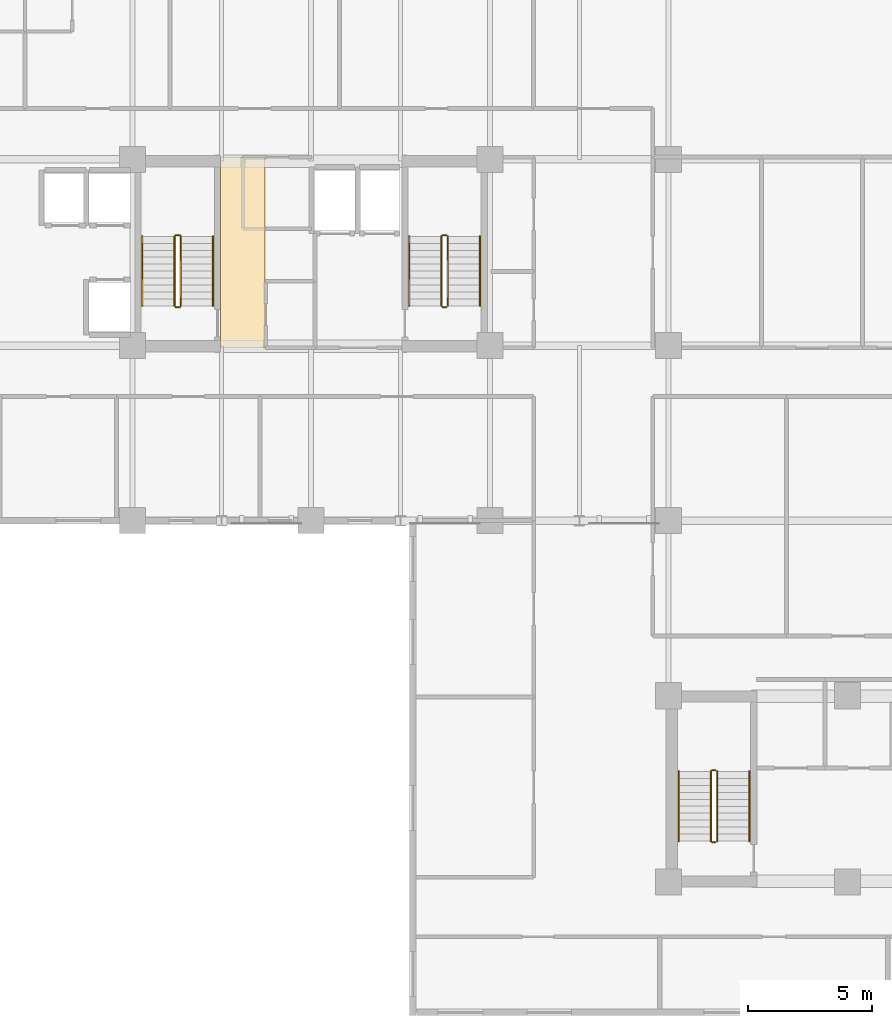
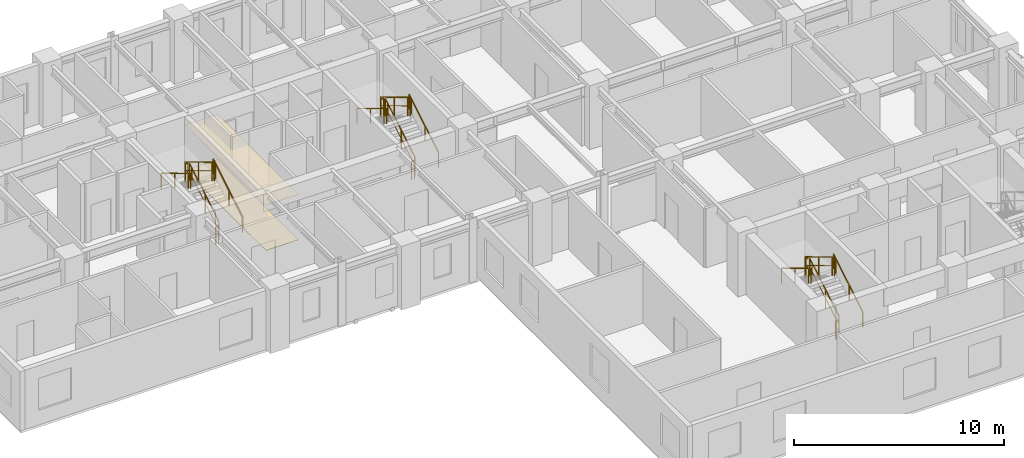
# One storey, part 11 of 13: 18 railings, 2 coverings.
"""IFC4 building model written with IfcOpenShell, lengths in metres."""

from ifc_helpers import new_model, si_unit, direction, frame, origin, origin_2d, place, context, subcontext, project, spatial, rectangle, extrude, source, transform, mapped, material, layer, layer_set, type_object, element, save


model = new_model("IFC4")

# Units and contexts
model_context = context("Model", 3, precision=1e-05, world=origin(), true_north=direction((0.0, 1.0)))
body_context = subcontext(model_context, "Body", "Model", "MODEL_VIEW")
ifc_project = project(units=[si_unit("LENGTHUNIT", "METRE"), si_unit("AREAUNIT", "SQUARE_METRE"), si_unit("VOLUMEUNIT", "CUBIC_METRE"), si_unit("PLANEANGLEUNIT", "RADIAN"), si_unit("MASSUNIT", "GRAM", prefix="KILO")], contexts=[model_context])

# Site, building, storey
site_placement = place(None, origin())
site = spatial("IfcSite", under=ifc_project, at=site_placement, CompositionType="ELEMENT")
building_placement = place(site_placement, origin())
building = spatial("IfcBuilding", under=site, at=building_placement, Name="Kaliganga Portal Commons", CompositionType="ELEMENT")
storey_placement = place(building_placement, frame((0.0, 0.0, 158.699951171875)))
storey = spatial("IfcBuildingStorey", under=building, at=storey_placement, Name="L40", CompositionType="ELEMENT", Elevation=158.699951171875)

# Railings
ifc_material_1 = material(Name="Galvanized Painted Steel Balustrade", Category="steel")
railing_type_1 = type_object("IfcRailingType", Name="RLG-STAIR-GRD", PredefinedType="GUARDRAIL", material=ifc_material_1)
railing_1_placement = place(storey_placement, frame((16.35009765625, 30.25, 0.168212890625)))
element("IfcRailing", 1, at=railing_1_placement, inside=storey, type_object=railing_type_1, Name="L40 ST-A1 stair guard 1", PredefinedType="GUARDRAIL", context=body_context, shape_type="SweptSolid", body=[
    extrude(rectangle(XDim=0.048095703125, YDim=0.048095703125, at=origin_2d()), frame((0.0, 0.0, 1.072021484375), z_axis=(0.0, 0.857242210791, 0.514913383045), x_axis=(-1.0, 0.0, 0.0)), (0.0, 0.0, 1.0), 3.266357421875),
    extrude(rectangle(XDim=0.028076171875, YDim=0.028076171875, at=origin_2d()), frame((0.0, 0.0, 0.572021484375), z_axis=(0.0, 0.857242210791, 0.514913383045), x_axis=(-1.0, 0.0, 0.0)), (0.0, 0.0, 1.0), 3.266357421875),
    extrude(rectangle(XDim=0.0419921875, YDim=0.0419921875, at=origin_2d()), origin(), (0.0, 0.0, 1.0), 1.052001953125),
    extrude(rectangle(XDim=0.0419921875, YDim=0.0419921875, at=origin_2d()), frame((0.0, 1.285888671875, 0.7724609375)), (0.0, 0.0, 1.0), 1.052001953125),
    extrude(rectangle(XDim=0.0419921875, YDim=0.0419921875, at=origin_2d()), frame((0.0, 2.57177734375, 1.544677734375)), (0.0, 0.0, 1.0), 1.052001953125),
    extrude(rectangle(XDim=0.0419921875, YDim=0.0419921875, at=origin_2d()), frame((0.0, 2.800048828125, 1.681884765625)), (0.0, 0.0, 1.0), 1.052001953125),
])
railing_2_placement = place(storey_placement, frame((16.300048828125, 33.10009765625, 1.85009765625)))
element("IfcRailing", 2, at=railing_2_placement, inside=storey, type_object=railing_type_1, Name="L40 ST-A1 stair guard 2", PredefinedType="GUARDRAIL", context=body_context, shape_type="SweptSolid", body=[
    extrude(rectangle(XDim=0.048095703125, YDim=0.048095703125, at=origin_2d()), frame((0.0, 0.0, 1.076171875), z_axis=(-1.0, 0.0, 0.0), x_axis=(0.0, -1.0, 0.0)), (0.0, 0.0, 1.0), 0.150146484375),
    extrude(rectangle(XDim=0.028076171875, YDim=0.028076171875, at=origin_2d()), frame((0.0, 0.0, 0.572021484375), z_axis=(-1.0, 0.0, 0.0), x_axis=(0.0, -1.0, 0.0)), (0.0, 0.0, 1.0), 0.150146484375),
    extrude(rectangle(XDim=0.0419921875, YDim=0.0419921875, at=origin_2d()), origin(), (0.0, 0.0, 1.0), 1.052001953125),
    extrude(rectangle(XDim=0.0419921875, YDim=0.0419921875, at=origin_2d()), frame((-0.150146484375, 0.0, 0.0)), (0.0, 0.0, 1.0), 1.052001953125),
])
railing_3_placement = place(storey_placement, frame((16.10009765625, 33.050048828125, 2.018310546875)))
element("IfcRailing", 3, at=railing_3_placement, inside=storey, type_object=railing_type_1, Name="L40 ST-A1 stair guard 3", PredefinedType="GUARDRAIL", context=body_context, shape_type="SweptSolid", body=[
    extrude(rectangle(XDim=0.048095703125, YDim=0.048095703125, at=origin_2d()), frame((0.0, 0.0, 1.072021484375), z_axis=(0.0, -0.857275202839, 0.514858452973), x_axis=(1.0, 0.0, 0.0)), (0.0, 0.0, 1.0), 3.26611328125),
    extrude(rectangle(XDim=0.028076171875, YDim=0.028076171875, at=origin_2d()), frame((0.0, 0.0, 0.572021484375), z_axis=(0.0, -0.857275202839, 0.514858452973), x_axis=(1.0, 0.0, 0.0)), (0.0, 0.0, 1.0), 3.26611328125),
    extrude(rectangle(XDim=0.0419921875, YDim=0.0419921875, at=origin_2d()), origin(), (0.0, 0.0, 1.0), 1.052001953125),
    extrude(rectangle(XDim=0.0419921875, YDim=0.0419921875, at=origin_2d()), frame((0.0, -1.285888671875, 0.772216796875)), (0.0, 0.0, 1.0), 1.052001953125),
    extrude(rectangle(XDim=0.0419921875, YDim=0.0419921875, at=origin_2d()), frame((0.0, -2.57177734375, 1.544677734375)), (0.0, 0.0, 1.0), 1.052001953125),
    extrude(rectangle(XDim=0.0419921875, YDim=0.0419921875, at=origin_2d()), frame((0.0, -2.800048828125, 1.681640625)), (0.0, 0.0, 1.0), 1.052001953125),
])
railing_4_placement = place(storey_placement, frame((16.300048828125, 30.199951171875, 0.0)))
element("IfcRailing", 4, at=railing_4_placement, inside=storey, type_object=railing_type_1, Name="L40 ST-A1 stair guard 4", PredefinedType="GUARDRAIL", context=body_context, shape_type="SweptSolid", body=[
    extrude(rectangle(XDim=0.048095703125, YDim=0.048095703125, at=origin_2d()), frame((0.0, 0.0, 1.076171875), z_axis=(-1.0, 0.0, 0.0), x_axis=(0.0, -1.0, 0.0)), (0.0, 0.0, 1.0), 0.150146484375),
    extrude(rectangle(XDim=0.028076171875, YDim=0.028076171875, at=origin_2d()), frame((0.0, 0.0, 0.572021484375), z_axis=(-1.0, 0.0, 0.0), x_axis=(0.0, -1.0, 0.0)), (0.0, 0.0, 1.0), 0.150146484375),
    extrude(rectangle(XDim=0.0419921875, YDim=0.0419921875, at=origin_2d()), origin(), (0.0, 0.0, 1.0), 1.052001953125),
    extrude(rectangle(XDim=0.0419921875, YDim=0.0419921875, at=origin_2d()), frame((-0.150146484375, 0.0, 0.0)), (0.0, 0.0, 1.0), 1.052001953125),
])
railing_5_placement = place(storey_placement, frame((27.10009765625, 30.25, 0.168212890625)))
element("IfcRailing", 5, at=railing_5_placement, inside=storey, type_object=railing_type_1, Name="L40 ST-A2 stair guard 1", PredefinedType="GUARDRAIL", context=body_context, shape_type="SweptSolid", body=[
    extrude(rectangle(XDim=0.048095703125, YDim=0.048095703125, at=origin_2d()), frame((0.0, 0.0, 1.072021484375), z_axis=(0.0, 0.857242210791, 0.514913383045), x_axis=(-1.0, 0.0, 0.0)), (0.0, 0.0, 1.0), 3.266357421875),
    extrude(rectangle(XDim=0.028076171875, YDim=0.028076171875, at=origin_2d()), frame((0.0, 0.0, 0.572021484375), z_axis=(0.0, 0.857242210791, 0.514913383045), x_axis=(-1.0, 0.0, 0.0)), (0.0, 0.0, 1.0), 3.266357421875),
    extrude(rectangle(XDim=0.0419921875, YDim=0.0419921875, at=origin_2d()), origin(), (0.0, 0.0, 1.0), 1.052001953125),
    extrude(rectangle(XDim=0.0419921875, YDim=0.0419921875, at=origin_2d()), frame((0.0, 1.285888671875, 0.7724609375)), (0.0, 0.0, 1.0), 1.052001953125),
    extrude(rectangle(XDim=0.0419921875, YDim=0.0419921875, at=origin_2d()), frame((0.0, 2.57177734375, 1.544677734375)), (0.0, 0.0, 1.0), 1.052001953125),
    extrude(rectangle(XDim=0.0419921875, YDim=0.0419921875, at=origin_2d()), frame((0.0, 2.800048828125, 1.681884765625)), (0.0, 0.0, 1.0), 1.052001953125),
])
railing_6_placement = place(storey_placement, frame((27.050048828125, 33.10009765625, 1.85009765625)))
element("IfcRailing", 6, at=railing_6_placement, inside=storey, type_object=railing_type_1, Name="L40 ST-A2 stair guard 2", PredefinedType="GUARDRAIL", context=body_context, shape_type="SweptSolid", body=[
    extrude(rectangle(XDim=0.048095703125, YDim=0.048095703125, at=origin_2d()), frame((0.0, 0.0, 1.076171875), z_axis=(-1.0, 0.0, 0.0), x_axis=(0.0, -1.0, 0.0)), (0.0, 0.0, 1.0), 0.150146484375),
    extrude(rectangle(XDim=0.028076171875, YDim=0.028076171875, at=origin_2d()), frame((0.0, 0.0, 0.572021484375), z_axis=(-1.0, 0.0, 0.0), x_axis=(0.0, -1.0, 0.0)), (0.0, 0.0, 1.0), 0.150146484375),
    extrude(rectangle(XDim=0.0419921875, YDim=0.0419921875, at=origin_2d()), origin(), (0.0, 0.0, 1.0), 1.052001953125),
    extrude(rectangle(XDim=0.0419921875, YDim=0.0419921875, at=origin_2d()), frame((-0.150146484375, 0.0, 0.0)), (0.0, 0.0, 1.0), 1.052001953125),
])
railing_7_placement = place(storey_placement, frame((26.85009765625, 33.050048828125, 2.018310546875)))
element("IfcRailing", 7, at=railing_7_placement, inside=storey, type_object=railing_type_1, Name="L40 ST-A2 stair guard 3", PredefinedType="GUARDRAIL", context=body_context, shape_type="SweptSolid", body=[
    extrude(rectangle(XDim=0.048095703125, YDim=0.048095703125, at=origin_2d()), frame((0.0, 0.0, 1.072021484375), z_axis=(0.0, -0.857275202839, 0.514858452973), x_axis=(1.0, 0.0, 0.0)), (0.0, 0.0, 1.0), 3.26611328125),
    extrude(rectangle(XDim=0.028076171875, YDim=0.028076171875, at=origin_2d()), frame((0.0, 0.0, 0.572021484375), z_axis=(0.0, -0.857275202839, 0.514858452973), x_axis=(1.0, 0.0, 0.0)), (0.0, 0.0, 1.0), 3.26611328125),
    extrude(rectangle(XDim=0.0419921875, YDim=0.0419921875, at=origin_2d()), origin(), (0.0, 0.0, 1.0), 1.052001953125),
    extrude(rectangle(XDim=0.0419921875, YDim=0.0419921875, at=origin_2d()), frame((0.0, -1.285888671875, 0.772216796875)), (0.0, 0.0, 1.0), 1.052001953125),
    extrude(rectangle(XDim=0.0419921875, YDim=0.0419921875, at=origin_2d()), frame((0.0, -2.57177734375, 1.544677734375)), (0.0, 0.0, 1.0), 1.052001953125),
    extrude(rectangle(XDim=0.0419921875, YDim=0.0419921875, at=origin_2d()), frame((0.0, -2.800048828125, 1.681640625)), (0.0, 0.0, 1.0), 1.052001953125),
])
railing_8_placement = place(storey_placement, frame((27.050048828125, 30.199951171875, 0.0)))
element("IfcRailing", 8, at=railing_8_placement, inside=storey, type_object=railing_type_1, Name="L40 ST-A2 stair guard 4", PredefinedType="GUARDRAIL", context=body_context, shape_type="SweptSolid", body=[
    extrude(rectangle(XDim=0.048095703125, YDim=0.048095703125, at=origin_2d()), frame((0.0, 0.0, 1.076171875), z_axis=(-1.0, 0.0, 0.0), x_axis=(0.0, -1.0, 0.0)), (0.0, 0.0, 1.0), 0.150146484375),
    extrude(rectangle(XDim=0.028076171875, YDim=0.028076171875, at=origin_2d()), frame((0.0, 0.0, 0.572021484375), z_axis=(-1.0, 0.0, 0.0), x_axis=(0.0, -1.0, 0.0)), (0.0, 0.0, 1.0), 0.150146484375),
    extrude(rectangle(XDim=0.0419921875, YDim=0.0419921875, at=origin_2d()), origin(), (0.0, 0.0, 1.0), 1.052001953125),
    extrude(rectangle(XDim=0.0419921875, YDim=0.0419921875, at=origin_2d()), frame((-0.150146484375, 0.0, 0.0)), (0.0, 0.0, 1.0), 1.052001953125),
])
railing_9_placement = place(storey_placement, frame((37.949951171875, 8.699951171875, 0.168212890625)))
element("IfcRailing", 9, at=railing_9_placement, inside=storey, type_object=railing_type_1, Name="L40 ST-B1 stair guard 1", PredefinedType="GUARDRAIL", context=body_context, shape_type="SweptSolid", body=[
    extrude(rectangle(XDim=0.048095703125, YDim=0.048095703125, at=origin_2d()), frame((0.0, 0.0, 1.072021484375), z_axis=(0.0, 0.857242210791, 0.514913383045), x_axis=(-1.0, 0.0, 0.0)), (0.0, 0.0, 1.0), 3.266357421875),
    extrude(rectangle(XDim=0.028076171875, YDim=0.028076171875, at=origin_2d()), frame((0.0, 0.0, 0.572021484375), z_axis=(0.0, 0.857242210791, 0.514913383045), x_axis=(-1.0, 0.0, 0.0)), (0.0, 0.0, 1.0), 3.266357421875),
    extrude(rectangle(XDim=0.0419921875, YDim=0.0419921875, at=origin_2d()), origin(), (0.0, 0.0, 1.0), 1.052001953125),
    extrude(rectangle(XDim=0.0419921875, YDim=0.0419921875, at=origin_2d()), frame((0.0, 1.285888671875, 0.7724609375)), (0.0, 0.0, 1.0), 1.052001953125),
    extrude(rectangle(XDim=0.0419921875, YDim=0.0419921875, at=origin_2d()), frame((0.0, 2.57177734375, 1.544677734375)), (0.0, 0.0, 1.0), 1.052001953125),
    extrude(rectangle(XDim=0.0419921875, YDim=0.0419921875, at=origin_2d()), frame((0.0, 2.800048828125, 1.681884765625)), (0.0, 0.0, 1.0), 1.052001953125),
])
railing_10_placement = place(storey_placement, frame((37.89990234375, 11.550048828125, 1.85009765625)))
element("IfcRailing", 10, at=railing_10_placement, inside=storey, type_object=railing_type_1, Name="L40 ST-B1 stair guard 2", PredefinedType="GUARDRAIL", context=body_context, shape_type="SweptSolid", body=[
    extrude(rectangle(XDim=0.048095703125, YDim=0.048095703125, at=origin_2d()), frame((0.0, 0.0, 1.076171875), z_axis=(-1.0, 0.0, 0.0), x_axis=(0.0, -1.0, 0.0)), (0.0, 0.0, 1.0), 0.14990234375),
    extrude(rectangle(XDim=0.028076171875, YDim=0.028076171875, at=origin_2d()), frame((0.0, 0.0, 0.572021484375), z_axis=(-1.0, 0.0, 0.0), x_axis=(0.0, -1.0, 0.0)), (0.0, 0.0, 1.0), 0.14990234375),
    extrude(rectangle(XDim=0.0419921875, YDim=0.0419921875, at=origin_2d()), frame((-0.14990234375, 0.0, 0.0)), (0.0, 0.0, 1.0), 1.052001953125),
])
railing_11_placement = place(storey_placement, frame((37.699951171875, 11.5, 2.018310546875)))
element("IfcRailing", 11, at=railing_11_placement, inside=storey, type_object=railing_type_1, Name="L40 ST-B1 stair guard 3", PredefinedType="GUARDRAIL", context=body_context, shape_type="SweptSolid", body=[
    extrude(rectangle(XDim=0.048095703125, YDim=0.048095703125, at=origin_2d()), frame((0.0, 0.0, 1.072021484375), z_axis=(0.0, -0.857275202839, 0.514858452973), x_axis=(1.0, 0.0, 0.0)), (0.0, 0.0, 1.0), 3.26611328125),
    extrude(rectangle(XDim=0.028076171875, YDim=0.028076171875, at=origin_2d()), frame((0.0, 0.0, 0.572021484375), z_axis=(0.0, -0.857275202839, 0.514858452973), x_axis=(1.0, 0.0, 0.0)), (0.0, 0.0, 1.0), 3.26611328125),
    extrude(rectangle(XDim=0.0419921875, YDim=0.0419921875, at=origin_2d()), origin(), (0.0, 0.0, 1.0), 1.052001953125),
    extrude(rectangle(XDim=0.0419921875, YDim=0.0419921875, at=origin_2d()), frame((0.0, -1.285888671875, 0.772216796875)), (0.0, 0.0, 1.0), 1.052001953125),
    extrude(rectangle(XDim=0.0419921875, YDim=0.0419921875, at=origin_2d()), frame((0.0, -2.57177734375, 1.544677734375)), (0.0, 0.0, 1.0), 1.052001953125),
    extrude(rectangle(XDim=0.0419921875, YDim=0.0419921875, at=origin_2d()), frame((0.0, -2.800048828125, 1.681640625)), (0.0, 0.0, 1.0), 1.052001953125),
])
railing_12_placement = place(storey_placement, frame((37.89990234375, 8.64990234375, 0.0)))
element("IfcRailing", 12, at=railing_12_placement, inside=storey, type_object=railing_type_1, Name="L40 ST-B1 stair guard 4", PredefinedType="GUARDRAIL", context=body_context, shape_type="SweptSolid", body=[
    extrude(rectangle(XDim=0.048095703125, YDim=0.048095703125, at=origin_2d()), frame((0.0, 0.0, 1.076171875), z_axis=(-1.0, 0.0, 0.0), x_axis=(0.0, -1.0, 0.0)), (0.0, 0.0, 1.0), 0.14990234375),
    extrude(rectangle(XDim=0.028076171875, YDim=0.028076171875, at=origin_2d()), frame((0.0, 0.0, 0.572021484375), z_axis=(-1.0, 0.0, 0.0), x_axis=(0.0, -1.0, 0.0)), (0.0, 0.0, 1.0), 0.14990234375),
    extrude(rectangle(XDim=0.0419921875, YDim=0.0419921875, at=origin_2d()), frame((-0.14990234375, 0.0, 0.0)), (0.0, 0.0, 1.0), 1.052001953125),
])
ifc_material_2 = material(Name="Brushed Stainless Steel 316", Category="steel")
railing_type_2 = type_object("IfcRailingType", Name="RLG-STAIR-HR", PredefinedType="HANDRAIL", material=ifc_material_2)
railing_13_placement = place(storey_placement, frame((17.64990234375, 30.25, 0.168212890625)))
element("IfcRailing", 13, at=railing_13_placement, inside=storey, type_object=railing_type_2, Name="L40 ST-A1 stair handrail 1", PredefinedType="HANDRAIL", context=body_context, shape_type="SweptSolid", body=[
    extrude(rectangle(XDim=0.048095703125, YDim=0.048095703125, at=origin_2d()), frame((0.0, 0.0, 0.871826171875), z_axis=(0.0, 0.857242210791, 0.514913383045), x_axis=(-1.0, 0.0, 0.0)), (0.0, 0.0, 1.0), 3.266357421875),
    extrude(rectangle(XDim=0.0419921875, YDim=0.0419921875, at=origin_2d()), origin(), (0.0, 0.0, 1.0), 0.851806640625),
    extrude(rectangle(XDim=0.0419921875, YDim=0.0419921875, at=origin_2d()), frame((0.0, 1.285888671875, 0.7724609375)), (0.0, 0.0, 1.0), 0.851806640625),
    extrude(rectangle(XDim=0.0419921875, YDim=0.0419921875, at=origin_2d()), frame((0.0, 2.57177734375, 1.544677734375)), (0.0, 0.0, 1.0), 0.851806640625),
    extrude(rectangle(XDim=0.0419921875, YDim=0.0419921875, at=origin_2d()), frame((0.0, 2.800048828125, 1.681884765625)), (0.0, 0.0, 1.0), 0.851806640625),
])
railing_14_placement = place(storey_placement, frame((14.800048828125, 33.050048828125, 2.018310546875)))
element("IfcRailing", 14, at=railing_14_placement, inside=storey, type_object=railing_type_2, Name="L40 ST-A1 stair handrail 2", PredefinedType="HANDRAIL", context=body_context, shape_type="SweptSolid", body=[
    extrude(rectangle(XDim=0.048095703125, YDim=0.048095703125, at=origin_2d()), frame((0.0, 0.0, 0.871826171875), z_axis=(0.0, -0.857275202839, 0.514858452973), x_axis=(1.0, 0.0, 0.0)), (0.0, 0.0, 1.0), 3.26611328125),
    extrude(rectangle(XDim=0.0419921875, YDim=0.0419921875, at=origin_2d()), origin(), (0.0, 0.0, 1.0), 0.851806640625),
    extrude(rectangle(XDim=0.0419921875, YDim=0.0419921875, at=origin_2d()), frame((0.0, -1.285888671875, 0.772216796875)), (0.0, 0.0, 1.0), 0.851806640625),
    extrude(rectangle(XDim=0.0419921875, YDim=0.0419921875, at=origin_2d()), frame((0.0, -2.57177734375, 1.544677734375)), (0.0, 0.0, 1.0), 0.851806640625),
    extrude(rectangle(XDim=0.0419921875, YDim=0.0419921875, at=origin_2d()), frame((0.0, -2.800048828125, 1.681640625)), (0.0, 0.0, 1.0), 0.851806640625),
])
railing_15_placement = place(storey_placement, frame((28.39990234375, 30.25, 0.168212890625)))
element("IfcRailing", 15, at=railing_15_placement, inside=storey, type_object=railing_type_2, Name="L40 ST-A2 stair handrail 1", PredefinedType="HANDRAIL", context=body_context, shape_type="SweptSolid", body=[
    extrude(rectangle(XDim=0.048095703125, YDim=0.048095703125, at=origin_2d()), frame((0.0, 0.0, 0.871826171875), z_axis=(0.0, 0.857242210791, 0.514913383045), x_axis=(-1.0, 0.0, 0.0)), (0.0, 0.0, 1.0), 3.266357421875),
    extrude(rectangle(XDim=0.0419921875, YDim=0.0419921875, at=origin_2d()), origin(), (0.0, 0.0, 1.0), 0.851806640625),
    extrude(rectangle(XDim=0.0419921875, YDim=0.0419921875, at=origin_2d()), frame((0.0, 1.285888671875, 0.7724609375)), (0.0, 0.0, 1.0), 0.851806640625),
    extrude(rectangle(XDim=0.0419921875, YDim=0.0419921875, at=origin_2d()), frame((0.0, 2.57177734375, 1.544677734375)), (0.0, 0.0, 1.0), 0.851806640625),
    extrude(rectangle(XDim=0.0419921875, YDim=0.0419921875, at=origin_2d()), frame((0.0, 2.800048828125, 1.681884765625)), (0.0, 0.0, 1.0), 0.851806640625),
])
railing_16_placement = place(storey_placement, frame((25.550048828125, 33.050048828125, 2.018310546875)))
element("IfcRailing", 16, at=railing_16_placement, inside=storey, type_object=railing_type_2, Name="L40 ST-A2 stair handrail 2", PredefinedType="HANDRAIL", context=body_context, shape_type="SweptSolid", body=[
    extrude(rectangle(XDim=0.048095703125, YDim=0.048095703125, at=origin_2d()), frame((0.0, 0.0, 0.871826171875), z_axis=(0.0, -0.857275202839, 0.514858452973), x_axis=(1.0, 0.0, 0.0)), (0.0, 0.0, 1.0), 3.26611328125),
    extrude(rectangle(XDim=0.0419921875, YDim=0.0419921875, at=origin_2d()), origin(), (0.0, 0.0, 1.0), 0.851806640625),
    extrude(rectangle(XDim=0.0419921875, YDim=0.0419921875, at=origin_2d()), frame((0.0, -1.285888671875, 0.772216796875)), (0.0, 0.0, 1.0), 0.851806640625),
    extrude(rectangle(XDim=0.0419921875, YDim=0.0419921875, at=origin_2d()), frame((0.0, -2.57177734375, 1.544677734375)), (0.0, 0.0, 1.0), 0.851806640625),
    extrude(rectangle(XDim=0.0419921875, YDim=0.0419921875, at=origin_2d()), frame((0.0, -2.800048828125, 1.681640625)), (0.0, 0.0, 1.0), 0.851806640625),
])
railing_17_placement = place(storey_placement, frame((39.25, 8.699951171875, 0.168212890625)))
element("IfcRailing", 17, at=railing_17_placement, inside=storey, type_object=railing_type_2, Name="L40 ST-B1 stair handrail 1", PredefinedType="HANDRAIL", context=body_context, shape_type="SweptSolid", body=[
    extrude(rectangle(XDim=0.048095703125, YDim=0.048095703125, at=origin_2d()), frame((0.0, 0.0, 0.871826171875), z_axis=(0.0, 0.857242210791, 0.514913383045), x_axis=(-1.0, 0.0, 0.0)), (0.0, 0.0, 1.0), 3.266357421875),
    extrude(rectangle(XDim=0.0419921875, YDim=0.0419921875, at=origin_2d()), origin(), (0.0, 0.0, 1.0), 0.851806640625),
    extrude(rectangle(XDim=0.0419921875, YDim=0.0419921875, at=origin_2d()), frame((0.0, 1.285888671875, 0.7724609375)), (0.0, 0.0, 1.0), 0.851806640625),
    extrude(rectangle(XDim=0.0419921875, YDim=0.0419921875, at=origin_2d()), frame((0.0, 2.57177734375, 1.544677734375)), (0.0, 0.0, 1.0), 0.851806640625),
    extrude(rectangle(XDim=0.0419921875, YDim=0.0419921875, at=origin_2d()), frame((0.0, 2.800048828125, 1.681884765625)), (0.0, 0.0, 1.0), 0.851806640625),
])
railing_18_placement = place(storey_placement, frame((36.39990234375, 11.5, 2.018310546875)))
element("IfcRailing", 18, at=railing_18_placement, inside=storey, type_object=railing_type_2, Name="L40 ST-B1 stair handrail 2", PredefinedType="HANDRAIL", context=body_context, shape_type="SweptSolid", body=[
    extrude(rectangle(XDim=0.048095703125, YDim=0.048095703125, at=origin_2d()), frame((0.0, 0.0, 0.871826171875), z_axis=(0.0, -0.857275202839, 0.514858452973), x_axis=(1.0, 0.0, 0.0)), (0.0, 0.0, 1.0), 3.26611328125),
    extrude(rectangle(XDim=0.0419921875, YDim=0.0419921875, at=origin_2d()), origin(), (0.0, 0.0, 1.0), 0.851806640625),
    extrude(rectangle(XDim=0.0419921875, YDim=0.0419921875, at=origin_2d()), frame((0.0, -1.285888671875, 0.772216796875)), (0.0, 0.0, 1.0), 0.851806640625),
    extrude(rectangle(XDim=0.0419921875, YDim=0.0419921875, at=origin_2d()), frame((0.0, -2.57177734375, 1.544677734375)), (0.0, 0.0, 1.0), 0.851806640625),
    extrude(rectangle(XDim=0.0419921875, YDim=0.0419921875, at=origin_2d()), frame((0.0, -2.800048828125, 1.681640625)), (0.0, 0.0, 1.0), 0.851806640625),
])

# Coverings
ifc_material_3 = material(Name="Acoustic Micro-Perforated Gypsum Ceiling", Category="gypsum")
ifc_layer_1 = layer(ifc_material_3, 0.02001953125)
ifc_layer_set_1 = layer_set([ifc_layer_1], Name="Acoustic Micro-Perforated Gypsum Ceiling")
covering_type_1 = type_object("IfcCoveringType", Name="COV-CEIL-GYP", PredefinedType="CEILING", material=ifc_layer_set_1)
shared_shape_1 = source(origin(), body_context, "Body", "SweptSolid", [
    extrude(rectangle(XDim=1.780029296875, YDim=7.679931640625, at=origin_2d()), origin(), (0.0, 0.0, 1.0), 0.02001953125),
])
covering_1_placement = place(storey_placement, frame((18.85009765625, 32.39990234375, 2.64013671875), z_axis=(0.0, 0.0, 1.0), x_axis=(1.0, 0.0, 0.0)))
element("IfcCovering", 19, at=covering_1_placement, inside=storey, type_object=covering_type_1, Name="Acoustic Ceiling L40 PLOB_A", PredefinedType="CEILING", context=body_context, shape_type="MappedRepresentation", body=[
    mapped(shared_shape_1, transform((0.0, 0.0, 0.0), x_axis=(1.0, 0.0, 0.0), y_axis=(0.0, 1.0, 0.0), z_axis=(0.0, 0.0, 1.0), scale=1.0)),
])
ifc_material_4 = material(Name="Polished Sylhet Stone Terrazzo Flooring", Category="masonry")
ifc_layer_2 = layer(ifc_material_4, 0.02490234375)
ifc_layer_set_2 = layer_set([ifc_layer_2], Name="Polished Sylhet Stone Terrazzo Flooring")
covering_type_2 = type_object("IfcCoveringType", Name="COV-FLR-TERRAZZO", PredefinedType="FLOORING", material=ifc_layer_set_2)
shared_shape_2 = source(origin(), body_context, "Body", "SweptSolid", [
    extrude(rectangle(XDim=1.780029296875, YDim=7.679931640625, at=origin_2d()), origin(), (0.0, 0.0, 1.0), 0.02490234375),
])
covering_2_placement = place(storey_placement, frame((18.85009765625, 32.39990234375, 0.00048828125), z_axis=(0.0, 0.0, 1.0), x_axis=(1.0, 0.0, 0.0)))
element("IfcCovering", 20, at=covering_2_placement, inside=storey, type_object=covering_type_2, Name="Terrazzo Flooring L40 PLOB_A", PredefinedType="FLOORING", context=body_context, shape_type="MappedRepresentation", body=[
    mapped(shared_shape_2, transform((0.0, 0.0, 0.0), x_axis=(1.0, 0.0, 0.0), y_axis=(0.0, 1.0, 0.0), z_axis=(0.0, 0.0, 1.0), scale=1.0)),
])

save(model, "model.ifc")
